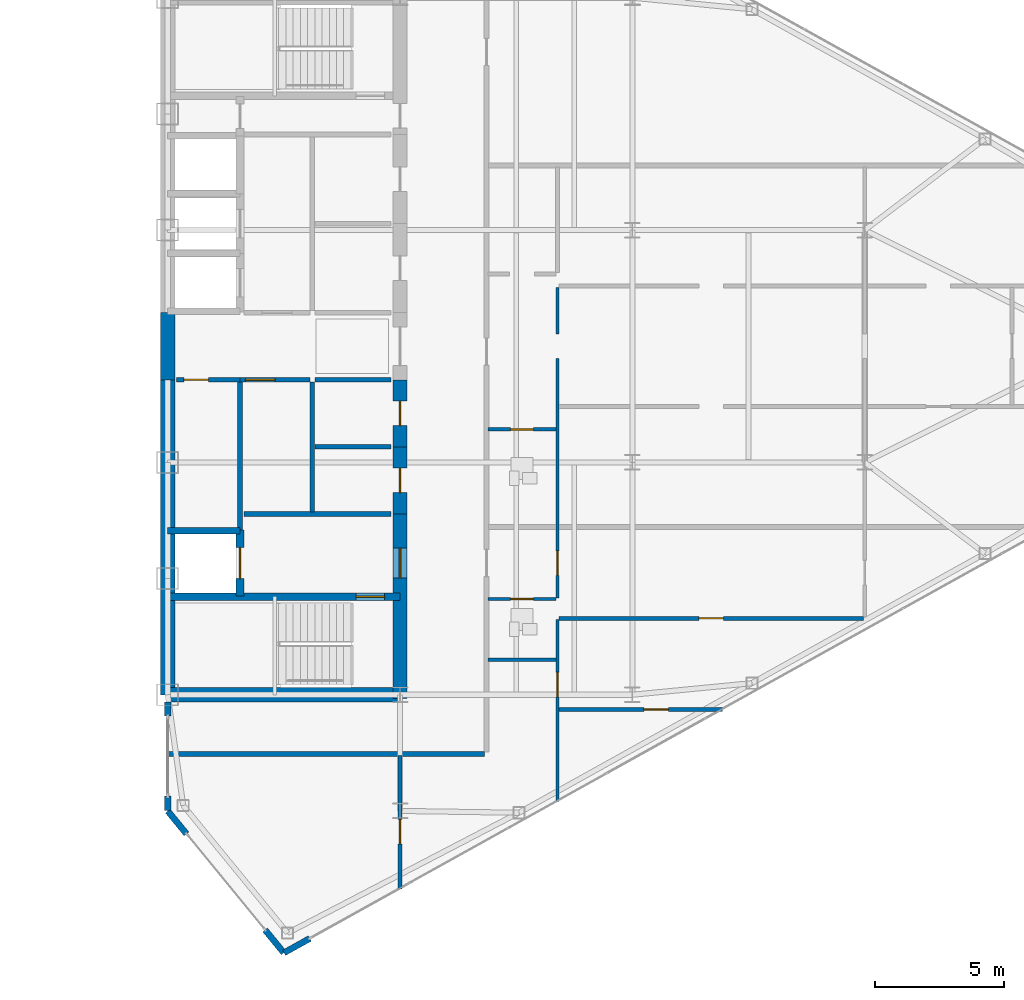
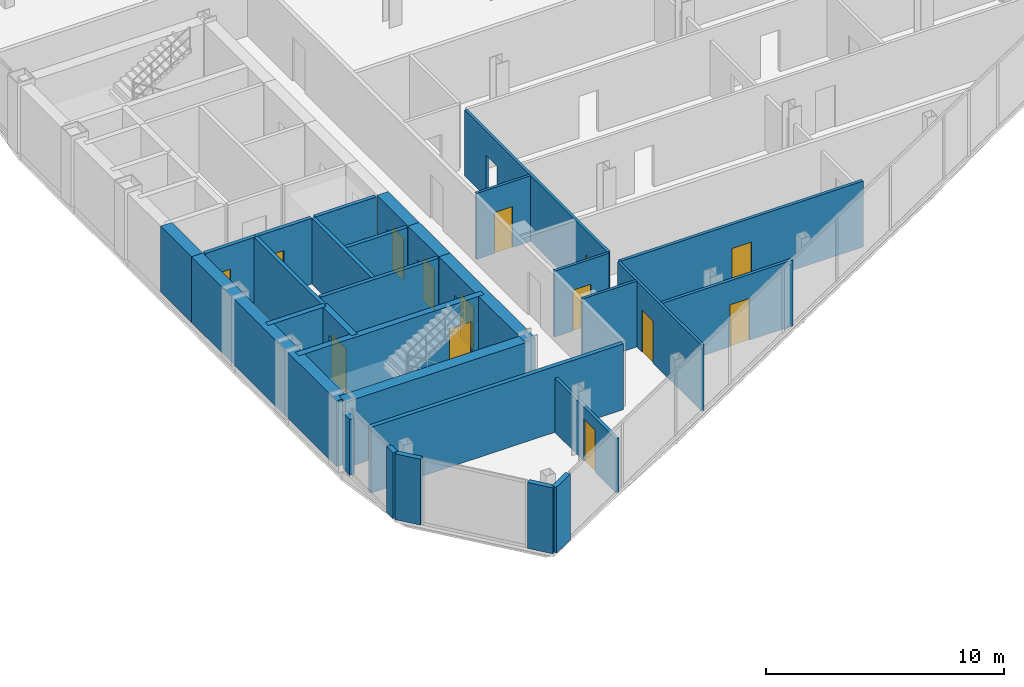
# One storey, part 21 of 26: 30 walls, 14 doors, 15 openings.
"""IFC4 building model written with IfcOpenShell, lengths in metres."""

from ifc_helpers import new_model, si_unit, direction, frame, frame_2d, origin, place, context, subcontext, project, spatial, rectangle, extrude, source, transform, mapped, material, layer, layer_set, type_object, type_shapes, element, fill, save


model = new_model("IFC4")

# Units and contexts
model_context = context("Model", 3, precision=1e-05, world=origin(), true_north=direction((0.0, 1.0)))
body_context = subcontext(model_context, "Body", "Model", "MODEL_VIEW")
ifc_project = project(units=[si_unit("LENGTHUNIT", "METRE"), si_unit("AREAUNIT", "SQUARE_METRE"), si_unit("VOLUMEUNIT", "CUBIC_METRE"), si_unit("PLANEANGLEUNIT", "RADIAN"), si_unit("MASSUNIT", "GRAM", prefix="KILO")], contexts=[model_context])

# Site, building, storey
site_placement = place(None, origin())
site = spatial("IfcSite", under=ifc_project, at=site_placement, CompositionType="ELEMENT")
building_placement = place(site_placement, origin())
building = spatial("IfcBuilding", under=site, at=building_placement, Name="Seokmaru Belvedere", CompositionType="ELEMENT")
storey_placement = place(building_placement, frame((0.0, 0.0, 167.10009765625)))
storey = spatial("IfcBuildingStorey", under=building, at=storey_placement, Name="L44", CompositionType="ELEMENT", Elevation=167.10009765625)

# Wall, opening, door
ifc_material_1 = material(Name="Fire-Rated Gypsum Shaftwall")
ifc_layer_1 = layer(ifc_material_1, 0.14990234375)
ifc_layer_set_1 = layer_set([ifc_layer_1], Name="Fire-Rated Gypsum Shaftwall")
wall_type_1 = type_object("IfcWallType", Name="Apartment Fire-Acoustic Room Partition 150", PredefinedType="PARTITIONING", material=ifc_layer_set_1)
wall_1_placement = place(storey_placement, frame((42.64990234375, -14.070068359375, 0.0), z_axis=(0.0, 0.0, 1.0), x_axis=(1.0, 0.0, 0.0)))
wall_1 = element("IfcWall", 1, at=wall_1_placement, inside=storey, type_object=wall_type_1, Name="L44 Interior Partition 003", PredefinedType="PARTITIONING", context=body_context, shape_type="SweptSolid", body=[
    extrude(rectangle(XDim=6.341064453125, YDim=0.14990234375, at=frame_2d((3.17041015625, 0.0))), origin(), (0.0, 0.0, 1.0), 3.3798828125),
])
opening_1_placement = place(wall_1_placement, frame((3.2919921875, 0.0, 0.0)))
opening_1 = element("IfcOpeningElement", 2, at=opening_1_placement, cuts=wall_1, Name="Opening D05", PredefinedType="OPENING", context=body_context, shape_type="SweptSolid", body=[
    extrude(rectangle(XDim=0.949951171875, YDim=2.14990234375, at=frame_2d((0.47509765625, 1.074951171875))), frame((0.0, 0.0849609375, 0.0), z_axis=(0.0, -1.0, 0.0), x_axis=(1.0, 0.0, 0.0)), (0.0, 0.0, 1.0), 0.169921875),
])
ifc_material_2 = material(Name="Engineered White Oak Timber", Category="wood")
door_type_1 = type_object("IfcDoorType", Name="Apartment Interior Fire-Rated Oak Door 950x2150", OperationType="NOTDEFINED", PredefinedType="DOOR", material=ifc_material_2)
shared_shape_1 = source(origin(), body_context, "Body", "SweptSolid", [
    extrude(rectangle(XDim=0.949951171875, YDim=2.14990234375, at=frame_2d((0.47509765625, 1.074951171875))), frame((0.0, 0.02490234375, 0.0), z_axis=(0.0, -1.0, 0.0), x_axis=(1.0, 0.0, 0.0)), (0.0, 0.0, 1.0), 0.050048828125),
])
type_shapes(door_type_1, [shared_shape_1])
door_1_placement = place(opening_1_placement, origin())
door_1 = element("IfcDoor", 3, at=door_1_placement, inside=storey, type_object=door_type_1, Name="L44 Interior Door 020", OperationType="SINGLE_SWING_LEFT", OverallHeight=2.14990234375, OverallWidth=0.949951171875, PredefinedType="DOOR", context=body_context, shape_type="MappedRepresentation", body=[
    mapped(shared_shape_1, transform((0.0, 0.0, 0.0), scale=1.0)),
])
fill(opening_1, door_1)

wall_2_placement = place(storey_placement, frame((42.64990234375, -10.5400390625, 0.0), z_axis=(0.0, 0.0, 1.0), x_axis=(1.0, 0.0, 0.0)))
wall_2 = element("IfcWall", 4, at=wall_2_placement, inside=storey, type_object=wall_type_1, Name="L44 Interior Partition 005", PredefinedType="PARTITIONING", context=body_context, shape_type="SweptSolid", body=[
    extrude(rectangle(XDim=11.800048828125, YDim=0.14990234375, at=frame_2d((5.89990234375, 0.0))), origin(), (0.0, 0.0, 1.0), 3.3798828125),
])
opening_2_placement = place(wall_2_placement, frame((5.425048828125, 0.0, 0.0)))
opening_2 = element("IfcOpeningElement", 5, at=opening_2_placement, cuts=wall_2, Name="Opening D05", PredefinedType="OPENING", context=body_context, shape_type="SweptSolid", body=[
    extrude(rectangle(XDim=0.949951171875, YDim=2.14990234375, at=frame_2d((0.47509765625, 1.074951171875))), frame((0.0, 0.0849609375, 0.0), z_axis=(0.0, -1.0, 0.0), x_axis=(1.0, 0.0, 0.0)), (0.0, 0.0, 1.0), 0.169921875),
])
door_2_placement = place(opening_2_placement, origin())
door_2 = element("IfcDoor", 6, at=door_2_placement, inside=storey, type_object=door_type_1, Name="L44 Interior Door 018", OperationType="SINGLE_SWING_LEFT", OverallHeight=2.14990234375, OverallWidth=0.949951171875, PredefinedType="DOOR", context=body_context, shape_type="MappedRepresentation", body=[
    mapped(shared_shape_1, transform((0.0, 0.0, 0.0), scale=1.0)),
])
fill(opening_2, door_2)

wall_3_placement = place(storey_placement, frame((36.5, -21.031982421875, 0.0), z_axis=(0.0, 0.0, 1.0), x_axis=(0.0, 1.0, 0.0)))
wall_3 = element("IfcWall", 7, at=wall_3_placement, inside=storey, type_object=wall_type_1, Name="L44 Interior Partition 026", PredefinedType="PARTITIONING", context=body_context, shape_type="SweptSolid", body=[
    extrude(rectangle(XDim=5.181884765625, YDim=0.14990234375, at=frame_2d((2.5908203125, 0.0))), origin(), (0.0, 0.0, 1.0), 2.77978515625),
])
opening_3_placement = place(wall_3_placement, frame((1.75390625, 0.0, 0.0)))
opening_3 = element("IfcOpeningElement", 8, at=opening_3_placement, cuts=wall_3, Name="Opening D05", PredefinedType="OPENING", context=body_context, shape_type="SweptSolid", body=[
    extrude(rectangle(XDim=0.949951171875, YDim=2.14990234375, at=frame_2d((0.47509765625, 1.074951171875))), frame((0.0, 0.0849609375, 0.0), z_axis=(0.0, -1.0, 0.0), x_axis=(1.0, 0.0, 0.0)), (0.0, 0.0, 1.0), 0.169921875),
])
door_3_placement = place(opening_3_placement, origin())
door_3 = element("IfcDoor", 9, at=door_3_placement, inside=storey, type_object=door_type_1, Name="L44 Interior Door 021", OperationType="SINGLE_SWING_LEFT", OverallHeight=2.14990234375, OverallWidth=0.949951171875, PredefinedType="DOOR", context=body_context, shape_type="MappedRepresentation", body=[
    mapped(shared_shape_1, transform((0.0, 0.0, 0.0), scale=1.0)),
])
fill(opening_3, door_3)

# Walls
ifc_layer_2 = layer(ifc_material_1, 0.179931640625)
ifc_layer_set_2 = layer_set([ifc_layer_2], Name="Fire-Rated Gypsum Shaftwall")
wall_type_2 = type_object("IfcWallType", Name="Core Service Fire Partition 180", PredefinedType="PARTITIONING", material=ifc_layer_set_2)
wall_4_placement = place(storey_placement, frame((30.449951171875, -6.5, 0.0), z_axis=(0.0, 0.0, 1.0), x_axis=(1.0, 0.0, 0.0)))
element("IfcWall", 10, at=wall_4_placement, inside=storey, type_object=wall_type_2, Name="L44 East Firefighting Lobby Partition", PredefinedType="PARTITIONING", context=body_context, shape_type="SweptSolid", body=[
    extrude(rectangle(XDim=5.699951171875, YDim=0.179931640625, at=frame_2d((2.85009765625, 0.0))), origin(), (0.0, 0.0, 1.0), 3.3798828125),
])
wall_5_placement = place(storey_placement, frame((33.10009765625, -6.419921875, 0.0), z_axis=(0.0, 0.0, 1.0), x_axis=(0.0, 1.0, 0.0)))
element("IfcWall", 11, at=wall_5_placement, inside=storey, type_object=wall_type_2, Name="L44 East South Core Service Back Wall", PredefinedType="PARTITIONING", context=body_context, shape_type="SweptSolid", body=[
    extrude(rectangle(XDim=5.0400390625, YDim=0.179931640625, at=frame_2d((2.52001953125, 0.0))), origin(), (0.0, 0.0, 1.0), 3.3798828125),
])

# Wall, opening, door
wall_6_placement = place(storey_placement, frame((27.85009765625, -1.300048828125, 0.0), z_axis=(0.0, 0.0, 1.0), x_axis=(1.0, 0.0, 0.0)))
wall_6 = element("IfcWall", 12, at=wall_6_placement, inside=storey, type_object=wall_type_2, Name="L44 East South Parcel Vault Foyer Wall", PredefinedType="PARTITIONING", context=body_context, shape_type="SweptSolid", body=[
    extrude(rectangle(XDim=2.449951171875, YDim=0.179931640625, at=frame_2d((1.22509765625, 0.0))), origin(), (0.0, 0.0, 1.0), 3.3798828125),
])
opening_4_placement = place(wall_6_placement, frame((0.27490234375, 0.0, 0.0)))
opening_4 = element("IfcOpeningElement", 13, at=opening_4_placement, cuts=wall_6, Name="Opening D04", PredefinedType="OPENING", context=body_context, shape_type="SweptSolid", body=[
    extrude(rectangle(XDim=0.949951171875, YDim=2.14990234375, at=frame_2d((0.47509765625, 1.074951171875))), frame((0.0, 0.10009765625, 0.0), z_axis=(0.0, -1.0, 0.0), x_axis=(1.0, 0.0, 0.0)), (0.0, 0.0, 1.0), 0.199951171875),
])
ifc_material_3 = material(Name="Fire-Rated Steel Leaf", Category="steel")
door_type_2 = type_object("IfcDoorType", Name="Core Service Room Fire Door 950x2150", OperationType="NOTDEFINED", PredefinedType="DOOR", material=ifc_material_3)
shared_shape_2 = source(origin(), body_context, "Body", "SweptSolid", [
    extrude(rectangle(XDim=0.949951171875, YDim=2.14990234375, at=frame_2d((0.47509765625, 1.074951171875))), frame((0.0, 0.02490234375, 0.0), z_axis=(0.0, -1.0, 0.0), x_axis=(1.0, 0.0, 0.0)), (0.0, 0.0, 1.0), 0.050048828125),
])
type_shapes(door_type_2, [shared_shape_2])
door_4_placement = place(opening_4_placement, origin())
door_4 = element("IfcDoor", 14, at=door_4_placement, inside=storey, type_object=door_type_2, Name="L44 East South Parcel Vault Door", OperationType="SINGLE_SWING_RIGHT", OverallHeight=2.14990234375, OverallWidth=0.949951171875, PredefinedType="DOOR", context=body_context, shape_type="MappedRepresentation", body=[
    mapped(shared_shape_2, transform((0.0, 0.0, 0.0), scale=1.0)),
])
fill(opening_4, door_4)

wall_7_placement = place(storey_placement, frame((30.300048828125, -1.300048828125, 0.0), z_axis=(0.0, 0.0, 1.0), x_axis=(1.0, 0.0, 0.0)))
wall_7 = element("IfcWall", 15, at=wall_7_placement, inside=storey, type_object=wall_type_2, Name="L44 East South Wine Cellar Foyer Wall", PredefinedType="PARTITIONING", context=body_context, shape_type="SweptSolid", body=[
    extrude(rectangle(XDim=2.719970703125, YDim=0.179931640625, at=frame_2d((1.35986328125, 0.0))), origin(), (0.0, 0.0, 1.0), 3.3798828125),
])
opening_5_placement = place(wall_7_placement, frame((0.2099609375, 0.0, 0.0)))
opening_5 = element("IfcOpeningElement", 16, at=opening_5_placement, cuts=wall_7, Name="Opening D02", PredefinedType="OPENING", context=body_context, shape_type="SweptSolid", body=[
    extrude(rectangle(XDim=1.14990234375, YDim=2.199951171875, at=frame_2d((0.574951171875, 1.10009765625))), frame((0.0, 0.10009765625, 0.0), z_axis=(0.0, -1.0, 0.0), x_axis=(1.0, 0.0, 0.0)), (0.0, 0.0, 1.0), 0.199951171875),
])
door_type_3 = type_object("IfcDoorType", Name="Lobby and Vestibule Fire Door 1150x2200", OperationType="NOTDEFINED", PredefinedType="DOOR", material=ifc_material_3)
shared_shape_3 = source(origin(), body_context, "Body", "SweptSolid", [
    extrude(rectangle(XDim=1.14990234375, YDim=2.199951171875, at=frame_2d((0.574951171875, 1.10009765625))), frame((0.0, 0.02490234375, 0.0), z_axis=(0.0, -1.0, 0.0), x_axis=(1.0, 0.0, 0.0)), (0.0, 0.0, 1.0), 0.050048828125),
])
type_shapes(door_type_3, [shared_shape_3])
door_5_placement = place(opening_5_placement, origin())
door_5 = element("IfcDoor", 17, at=door_5_placement, inside=storey, type_object=door_type_3, Name="L44 East South Core Foyer Door", OperationType="SINGLE_SWING_RIGHT", OverallHeight=2.199951171875, OverallWidth=1.14990234375, PredefinedType="DOOR", context=body_context, shape_type="MappedRepresentation", body=[
    mapped(shared_shape_3, transform((0.0, 0.0, 0.0), scale=1.0)),
])
fill(opening_5, door_5)

# Walls
wall_8_placement = place(storey_placement, frame((30.300048828125, -7.1201171875, 0.0), z_axis=(0.0, 0.0, 1.0), x_axis=(0.0, 1.0, 0.0)))
element("IfcWall", 18, at=wall_8_placement, inside=storey, type_object=wall_type_2, Name="L44 East Freed Shaft Vault Partition", PredefinedType="PARTITIONING", context=body_context, shape_type="SweptSolid", body=[
    extrude(rectangle(XDim=5.740234375, YDim=0.179931640625, at=frame_2d((2.8701171875, 0.0))), origin(), (0.0, 0.0, 1.0), 3.3798828125),
])
for number, where, z_axis, x_axis, name in (
    (19, (33.199951171875, -1.300048828125, 0.0), (0.0, 0.0, 1.0), (1.0, 0.0, 0.0), "L44 East Foyer Side Wall S"),
    (20, (33.199951171875, -3.89990234375, 0.0), (0.0, 0.0, 1.0), (1.0, 0.0, 0.0), "L44 East Core Service Partition 1"),
):
    element("IfcWall", number, at=place(storey_placement, frame(where, z_axis=z_axis, x_axis=x_axis)), inside=storey, type_object=wall_type_2, Name=name, PredefinedType="PARTITIONING", context=body_context, shape_type="SweptSolid", body=[
        extrude(rectangle(XDim=2.949951171875, YDim=0.179931640625, at=frame_2d((1.47509765625, 0.0))), origin(), (0.0, 0.0, 1.0), 3.3798828125),
    ])
ifc_material_4 = material(Name="Concrete C50 (50 MPa)", Category="concrete")
ifc_layer_3 = layer(ifc_material_4, 0.25)
ifc_layer_set_3 = layer_set([ifc_layer_3], Name="Concrete C50 (50 MPa)")
wall_type_3 = type_object("IfcWallType", Name="Hoistway Transverse Concrete Divider Wall 250", PredefinedType="SHEAR", material=ifc_layer_set_3)
wall_9_placement = place(storey_placement, frame((27.5, -7.14990234375, 0.0), z_axis=(0.0, 0.0, 1.0), x_axis=(1.0, 0.0, 0.0)))
element("IfcWall", 21, at=wall_9_placement, inside=storey, type_object=wall_type_3, Name="L44 East Hoistway Divider Core Wall 1", PredefinedType="SHEAR", context=body_context, shape_type="SweptSolid", body=[
    extrude(rectangle(XDim=2.800048828125, YDim=0.25, at=frame_2d((1.39990234375, 0.0))), origin(), (0.0, 0.0, 1.0), 3.3798828125),
])
ifc_layer_4 = layer(ifc_material_1, 0.199951171875)
ifc_layer_set_4 = layer_set([ifc_layer_4], Name="Fire-Rated Gypsum Shaftwall")
wall_type_4 = type_object("IfcWallType", Name="Inter-Tenancy Fire Compartment Partition 200", PredefinedType="PARTITIONING", material=ifc_layer_set_4)
wall_10_placement = place(storey_placement, frame((27.5, -15.800048828125, 0.0), z_axis=(0.0, 0.0, 1.0), x_axis=(1.0, 0.0, 0.0)))
element("IfcWall", 22, at=wall_10_placement, inside=storey, type_object=wall_type_4, Name="L44 Interior Partition 002", PredefinedType="PARTITIONING", context=body_context, shape_type="SweptSolid", body=[
    extrude(rectangle(XDim=12.264892578125, YDim=0.199951171875, at=frame_2d((6.13232421875, 0.0))), origin(), (0.0, 0.0, 1.0), 3.3798828125),
])

# Wall, opening, door
ifc_layer_5 = layer(ifc_material_4, 0.300048828125)
ifc_layer_set_5 = layer_set([ifc_layer_5], Name="Concrete C50 (50 MPa)")
wall_type_5 = type_object("IfcWallType", Name="Internal Core Stair and Hoistway Wall 300", PredefinedType="SHEAR", material=ifc_layer_set_5)
wall_11_placement = place(storey_placement, frame((27.5, -9.699951171875, 0.0), z_axis=(0.0, 0.0, 1.0), x_axis=(1.0, 0.0, 0.0)))
wall_11 = element("IfcWall", 23, at=wall_11_placement, inside=storey, type_object=wall_type_5, Name="L44 East Stair ST-1 Enclosure Wall", PredefinedType="SHEAR", context=body_context, shape_type="SweptSolid", body=[
    extrude(rectangle(XDim=9.0, YDim=0.300048828125, at=frame_2d((4.5, 0.0))), origin(), (0.0, 0.0, 1.0), 3.3798828125),
])
opening_6_placement = place(wall_11_placement, frame((7.300048828125, 0.0, 0.0)))
opening_6 = element("IfcOpeningElement", 24, at=opening_6_placement, cuts=wall_11, Name="Opening D01", PredefinedType="OPENING", context=body_context, shape_type="SweptSolid", body=[
    extrude(rectangle(XDim=1.10009765625, YDim=2.199951171875, at=frame_2d((0.550048828125, 1.10009765625))), frame((0.0, 0.16015625, 0.0), z_axis=(0.0, -1.0, 0.0), x_axis=(1.0, 0.0, 0.0)), (0.0, 0.0, 1.0), 0.320068359375),
])
door_type_4 = type_object("IfcDoorType", Name="Special Escape Stair Smokeproof Fire Door 1100x2200", OperationType="NOTDEFINED", PredefinedType="DOOR", material=ifc_material_3)
shared_shape_4 = source(origin(), body_context, "Body", "SweptSolid", [
    extrude(rectangle(XDim=1.10009765625, YDim=2.199951171875, at=frame_2d((0.550048828125, 1.10009765625))), frame((0.0, 0.02490234375, 0.0), z_axis=(0.0, -1.0, 0.0), x_axis=(1.0, 0.0, 0.0)), (0.0, 0.0, 1.0), 0.050048828125),
])
type_shapes(door_type_4, [shared_shape_4])
door_6_placement = place(opening_6_placement, frame((1.10009765625, 0.0, 0.0), z_axis=(0.0, 0.0, 1.0), x_axis=(-1.0, 0.0, 0.0)))
door_6 = element("IfcDoor", 25, at=door_6_placement, inside=storey, type_object=door_type_4, Name="L44 East Special Escape Stair ST-1 Door", OperationType="SINGLE_SWING_RIGHT", OverallHeight=2.199951171875, OverallWidth=1.10009765625, PredefinedType="DOOR", context=body_context, shape_type="MappedRepresentation", body=[
    mapped(shared_shape_4, transform((0.0, 0.0, 0.0), scale=1.0)),
])
fill(opening_6, door_6)

wall_12_placement = place(storey_placement, frame((30.300048828125, -9.679931640625, 0.0), z_axis=(0.0, 0.0, 1.0), x_axis=(0.0, 1.0, 0.0)))
wall_12 = element("IfcWall", 26, at=wall_12_placement, inside=storey, type_object=wall_type_5, Name="L44 East Firefighting Lift Shaft Front Wall", PredefinedType="SHEAR", context=body_context, shape_type="SweptSolid", body=[
    extrude(rectangle(XDim=2.559814453125, YDim=0.300048828125, at=frame_2d((1.27978515625, 0.0))), origin(), (0.0, 0.0, 1.0), 3.3798828125),
])
opening_7_placement = place(wall_12_placement, frame((0.679931640625, 0.0, 0.0)))
opening_7 = element("IfcOpeningElement", 27, at=opening_7_placement, cuts=wall_12, Name="Opening LD2", PredefinedType="OPENING", context=body_context, shape_type="SweptSolid", body=[
    extrude(rectangle(XDim=1.199951171875, YDim=2.25, at=frame_2d((0.60009765625, 1.125))), frame((0.0, 0.16015625, 0.0), z_axis=(0.0, -1.0, 0.0), x_axis=(1.0, 0.0, 0.0)), (0.0, 0.0, 1.0), 0.320068359375),
])
ifc_material_5 = material(Name="Stainless Steel 316", Category="steel")
door_type_5 = type_object("IfcDoorType", Name="Firefighting Lift Sliding Landing Door 1200x2250", OperationType="DOUBLE_DOOR_SLIDING", PredefinedType="DOOR", material=ifc_material_5)
shared_shape_5 = source(origin(), body_context, "Body", "SweptSolid", [
    extrude(rectangle(XDim=1.199951171875, YDim=2.25, at=frame_2d((0.60009765625, 1.125))), frame((0.0, 0.02490234375, 0.0), z_axis=(0.0, -1.0, 0.0), x_axis=(1.0, 0.0, 0.0)), (0.0, 0.0, 1.0), 0.050048828125),
])
type_shapes(door_type_5, [shared_shape_5])
door_7_placement = place(opening_7_placement, origin())
door_7 = element("IfcDoor", 28, at=door_7_placement, inside=storey, type_object=door_type_5, Name="L44 East Firefighting Lift Landing Door", OperationType="DOUBLE_DOOR_SLIDING", OverallHeight=2.25, OverallWidth=1.199951171875, PredefinedType="DOOR", context=body_context, shape_type="MappedRepresentation", body=[
    mapped(shared_shape_5, transform((0.0, 0.0, 0.0), scale=1.0)),
])
fill(opening_7, door_7)

# Walls
ifc_layer_6 = layer(ifc_material_4, 0.550048828125)
ifc_layer_set_6 = layer_set([ifc_layer_6], Name="Concrete C50 (50 MPa)")
wall_type_6 = type_object("IfcWallType", Name="Mid-High Reinforced Concrete Core Wall 550", PredefinedType="SHEAR", material=ifc_layer_set_6)
wall_13_placement = place(storey_placement, frame((27.5, -13.5, 0.0), z_axis=(0.0, 0.0, 1.0), x_axis=(0.0, 1.0, 0.0)))
element("IfcWall", 29, at=wall_13_placement, inside=storey, type_object=wall_type_6, Name="L44 East Portal Spine Core Wall South", PredefinedType="SHEAR", context=body_context, shape_type="SweptSolid", body=[
    extrude(rectangle(XDim=12.199951171875, YDim=0.550048828125, at=frame_2d((6.10009765625, 0.0))), origin(), (0.0, 0.0, 1.0), 3.3798828125),
])
wall_14_placement = place(storey_placement, frame((27.5, -1.300048828125, 0.0), z_axis=(0.0, 0.0, 1.0), x_axis=(0.0, 1.0, 0.0)))
element("IfcWall", 30, at=wall_14_placement, inside=storey, type_object=wall_type_6, Name="L44 East Portal Spine Core Wall Center", PredefinedType="SHEAR", context=body_context, shape_type="SweptSolid", body=[
    extrude(rectangle(XDim=2.60009765625, YDim=0.550048828125, at=frame_2d((1.300048828125, 0.0))), origin(), (0.0, 0.0, 1.0), 3.3798828125),
])
wall_15_placement = place(storey_placement, frame((27.5, -13.5, 0.0), z_axis=(0.0, 0.0, 1.0), x_axis=(1.0, 0.0, 0.0)))
element("IfcWall", 31, at=wall_15_placement, inside=storey, type_object=wall_type_6, Name="L44 East South Core Wall", PredefinedType="SHEAR", context=body_context, shape_type="SweptSolid", body=[
    extrude(rectangle(XDim=9.0, YDim=0.550048828125, at=frame_2d((4.5, 0.0))), origin(), (0.0, 0.0, 1.0), 3.3798828125),
])

# Wall, opening, door
wall_16_placement = place(storey_placement, frame((36.5, -13.64990234375, 0.0), z_axis=(0.0, 0.0, 1.0), x_axis=(0.0, 1.0, 0.0)))
wall_16 = element("IfcWall", 32, at=wall_16_placement, inside=storey, type_object=wall_type_6, Name="L44 East West Core Wall FF", PredefinedType="SHEAR", context=body_context, shape_type="SweptSolid", body=[
    extrude(rectangle(XDim=7.14990234375, YDim=0.550048828125, at=frame_2d((3.574951171875, 0.0))), origin(), (0.0, 0.0, 1.0), 3.3798828125),
])
opening_8_placement = place(wall_16_placement, frame((4.675048828125, 0.0, 0.0)))
opening_8 = element("IfcOpeningElement", 33, at=opening_8_placement, cuts=wall_16, Name="Opening D02", PredefinedType="OPENING", context=body_context, shape_type="SweptSolid", body=[
    extrude(rectangle(XDim=1.14990234375, YDim=2.199951171875, at=frame_2d((0.574951171875, 1.10009765625))), frame((0.0, 0.28515625, 0.0), z_axis=(0.0, -1.0, 0.0), x_axis=(1.0, 0.0, 0.0)), (0.0, 0.0, 1.0), 0.570068359375),
])
door_8_placement = place(opening_8_placement, origin())
door_8 = element("IfcDoor", 34, at=door_8_placement, inside=storey, type_object=door_type_3, Name="L44 East Firefighting Lobby Door", OperationType="SINGLE_SWING_RIGHT", OverallHeight=2.199951171875, OverallWidth=1.14990234375, PredefinedType="DOOR", context=body_context, shape_type="MappedRepresentation", body=[
    mapped(shared_shape_3, transform((0.0, 0.0, 0.0), scale=1.0)),
])
fill(opening_8, door_8)

wall_17_placement = place(storey_placement, frame((36.5, -6.5, 0.0), z_axis=(0.0, 0.0, 1.0), x_axis=(0.0, 1.0, 0.0)))
wall_17 = element("IfcWall", 35, at=wall_17_placement, inside=storey, type_object=wall_type_6, Name="L44 East West Core Wall CS1", PredefinedType="SHEAR", context=body_context, shape_type="SweptSolid", body=[
    extrude(rectangle(XDim=2.60009765625, YDim=0.550048828125, at=frame_2d((1.300048828125, 0.0))), origin(), (0.0, 0.0, 1.0), 3.3798828125),
])
opening_9_placement = place(wall_17_placement, frame((0.824951171875, 0.0, 0.0)))
opening_9 = element("IfcOpeningElement", 36, at=opening_9_placement, cuts=wall_17, Name="Opening D04", PredefinedType="OPENING", context=body_context, shape_type="SweptSolid", body=[
    extrude(rectangle(XDim=0.949951171875, YDim=2.14990234375, at=frame_2d((0.47509765625, 1.074951171875))), frame((0.0, 0.28515625, 0.0), z_axis=(0.0, -1.0, 0.0), x_axis=(1.0, 0.0, 0.0)), (0.0, 0.0, 1.0), 0.570068359375),
])
door_9_placement = place(opening_9_placement, origin())
door_9 = element("IfcDoor", 37, at=door_9_placement, inside=storey, type_object=door_type_2, Name="L44 East Core Service Room Door 1", OperationType="SINGLE_SWING_RIGHT", OverallHeight=2.14990234375, OverallWidth=0.949951171875, PredefinedType="DOOR", context=body_context, shape_type="MappedRepresentation", body=[
    mapped(shared_shape_2, transform((0.0, 0.0, 0.0), scale=1.0)),
])
fill(opening_9, door_9)

wall_18_placement = place(storey_placement, frame((36.5, -3.89990234375, 0.0), z_axis=(0.0, 0.0, 1.0), x_axis=(0.0, 1.0, 0.0)))
wall_18 = element("IfcWall", 38, at=wall_18_placement, inside=storey, type_object=wall_type_6, Name="L44 East West Core Wall CS2", PredefinedType="SHEAR", context=body_context, shape_type="SweptSolid", body=[
    extrude(rectangle(XDim=2.599853515625, YDim=0.550048828125, at=frame_2d((1.2998046875, 0.0))), origin(), (0.0, 0.0, 1.0), 3.3798828125),
])
opening_10_placement = place(wall_18_placement, frame((0.824951171875, 0.0, 0.0)))
opening_10 = element("IfcOpeningElement", 39, at=opening_10_placement, cuts=wall_18, Name="Opening D04", PredefinedType="OPENING", context=body_context, shape_type="SweptSolid", body=[
    extrude(rectangle(XDim=0.949951171875, YDim=2.14990234375, at=frame_2d((0.47509765625, 1.074951171875))), frame((0.0, 0.28515625, 0.0), z_axis=(0.0, -1.0, 0.0), x_axis=(1.0, 0.0, 0.0)), (0.0, 0.0, 1.0), 0.570068359375),
])
door_10_placement = place(opening_10_placement, origin())
door_10 = element("IfcDoor", 40, at=door_10_placement, inside=storey, type_object=door_type_2, Name="L44 East Core Service Room Door 2", OperationType="SINGLE_SWING_LEFT", OverallHeight=2.14990234375, OverallWidth=0.949951171875, PredefinedType="DOOR", context=body_context, shape_type="MappedRepresentation", body=[
    mapped(shared_shape_2, transform((0.0, 0.0, 0.0), scale=1.0)),
])
fill(opening_10, door_10)

# Wall
ifc_layer_7 = layer(ifc_material_1, 0.1298828125)
ifc_layer_set_7 = layer_set([ifc_layer_7], Name="Fire-Rated Gypsum Shaftwall")
wall_type_7 = type_object("IfcWallType", Name="Moisture-Resistant Fire-Rated Bathroom Partition 130", PredefinedType="PARTITIONING", material=ifc_layer_set_7)
wall_19_placement = place(storey_placement, frame((39.89990234375, -12.139892578125, 0.0), z_axis=(0.0, 0.0, 1.0), x_axis=(1.0, 0.0, 0.0)))
element("IfcWall", 41, at=wall_19_placement, inside=storey, type_object=wall_type_7, Name="L44 Interior Partition 004", PredefinedType="PARTITIONING", context=body_context, shape_type="SweptSolid", body=[
    extrude(rectangle(XDim=2.650146484375, YDim=0.1298828125, at=frame_2d((1.3251953125, 0.0))), origin(), (0.0, 0.0, 1.0), 3.3798828125),
])

# Wall, opening, door
wall_20_placement = place(storey_placement, frame((39.89990234375, -9.7900390625, 0.0), z_axis=(0.0, 0.0, 1.0), x_axis=(1.0, 0.0, 0.0)))
wall_20 = element("IfcWall", 42, at=wall_20_placement, inside=storey, type_object=wall_type_7, Name="L44 Interior Partition 006", PredefinedType="PARTITIONING", context=body_context, shape_type="SweptSolid", body=[
    extrude(rectangle(XDim=2.650146484375, YDim=0.1298828125, at=frame_2d((1.3251953125, 0.0))), origin(), (0.0, 0.0, 1.0), 3.3798828125),
])
opening_11_placement = place(wall_20_placement, frame((0.885009765625, 0.0, 0.0)))
opening_11 = element("IfcOpeningElement", 43, at=opening_11_placement, cuts=wall_20, Name="Opening D06", PredefinedType="OPENING", context=body_context, shape_type="SweptSolid", body=[
    extrude(rectangle(XDim=0.8798828125, YDim=2.10009765625, at=frame_2d((0.43994140625, 1.050048828125))), frame((0.0, 0.074951171875, 0.0), z_axis=(0.0, -1.0, 0.0), x_axis=(1.0, 0.0, 0.0)), (0.0, 0.0, 1.0), 0.14990234375),
])
door_type_6 = type_object("IfcDoorType", Name="Bathroom and Restroom Fire-Rated Door 880x2100", OperationType="NOTDEFINED", PredefinedType="DOOR", material=ifc_material_2)
shared_shape_6 = source(origin(), body_context, "Body", "SweptSolid", [
    extrude(rectangle(XDim=0.8798828125, YDim=2.10009765625, at=frame_2d((0.43994140625, 1.050048828125))), frame((0.0, 0.02490234375, 0.0), z_axis=(0.0, -1.0, 0.0), x_axis=(1.0, 0.0, 0.0)), (0.0, 0.0, 1.0), 0.050048828125),
])
type_shapes(door_type_6, [shared_shape_6])
door_11_placement = place(opening_11_placement, origin())
door_11 = element("IfcDoor", 44, at=door_11_placement, inside=storey, type_object=door_type_6, Name="L44 Interior Door 015", OperationType="SINGLE_SWING_RIGHT", OverallHeight=2.10009765625, OverallWidth=0.8798828125, PredefinedType="DOOR", context=body_context, shape_type="MappedRepresentation", body=[
    mapped(shared_shape_6, transform((0.0, 0.0, 0.0), scale=1.0)),
])
fill(opening_11, door_11)

wall_21_placement = place(storey_placement, frame((39.89990234375, -3.219970703125, 0.0), z_axis=(0.0, 0.0, 1.0), x_axis=(1.0, 0.0, 0.0)))
wall_21 = element("IfcWall", 45, at=wall_21_placement, inside=storey, type_object=wall_type_7, Name="L44 Interior Partition 011", PredefinedType="PARTITIONING", context=body_context, shape_type="SweptSolid", body=[
    extrude(rectangle(XDim=2.650146484375, YDim=0.1298828125, at=frame_2d((1.3251953125, 0.0))), origin(), (0.0, 0.0, 1.0), 3.3798828125),
])
opening_12_placement = place(wall_21_placement, frame((0.885009765625, 0.0, 0.0)))
opening_12 = element("IfcOpeningElement", 46, at=opening_12_placement, cuts=wall_21, Name="Opening D06", PredefinedType="OPENING", context=body_context, shape_type="SweptSolid", body=[
    extrude(rectangle(XDim=0.8798828125, YDim=2.10009765625, at=frame_2d((0.43994140625, 1.050048828125))), frame((0.0, 0.074951171875, 0.0), z_axis=(0.0, -1.0, 0.0), x_axis=(1.0, 0.0, 0.0)), (0.0, 0.0, 1.0), 0.14990234375),
])
door_12_placement = place(opening_12_placement, origin())
door_12 = element("IfcDoor", 47, at=door_12_placement, inside=storey, type_object=door_type_6, Name="L44 Interior Door 023", OperationType="SINGLE_SWING_RIGHT", OverallHeight=2.10009765625, OverallWidth=0.8798828125, PredefinedType="DOOR", context=body_context, shape_type="MappedRepresentation", body=[
    mapped(shared_shape_6, transform((0.0, 0.0, 0.0), scale=1.0)),
])
fill(opening_12, door_12)

wall_22_placement = place(storey_placement, frame((42.60009765625, -17.639892578125, 0.0), z_axis=(0.0, 0.0, 1.0), x_axis=(0.0, 1.0, 0.0)))
wall_22 = element("IfcWall", 48, at=wall_22_placement, inside=storey, type_object=wall_type_7, Name="L44 Interior Partition 028", PredefinedType="PARTITIONING", context=body_context, shape_type="SweptSolid", body=[
    extrude(rectangle(XDim=7.054931640625, YDim=0.1298828125, at=frame_2d((3.52734375, 0.0))), origin(), (0.0, 0.0, 1.0), 3.3798828125),
])
opening_13_placement = place(wall_22_placement, frame((4.0576171875, 0.0, 0.0)))
opening_13 = element("IfcOpeningElement", 49, at=opening_13_placement, cuts=wall_22, Name="Opening D05", PredefinedType="OPENING", context=body_context, shape_type="SweptSolid", body=[
    extrude(rectangle(XDim=0.949951171875, YDim=2.14990234375, at=frame_2d((0.47509765625, 1.074951171875))), frame((0.0, 0.074951171875, 0.0), z_axis=(0.0, -1.0, 0.0), x_axis=(1.0, 0.0, 0.0)), (0.0, 0.0, 1.0), 0.14990234375),
])
door_13_placement = place(opening_13_placement, origin())
door_13 = element("IfcDoor", 50, at=door_13_placement, inside=storey, type_object=door_type_1, Name="L44 Interior Door 019", OperationType="SINGLE_SWING_RIGHT", OverallHeight=2.14990234375, OverallWidth=0.949951171875, PredefinedType="DOOR", context=body_context, shape_type="MappedRepresentation", body=[
    mapped(shared_shape_1, transform((0.0, 0.0, 0.0), scale=1.0)),
])
fill(opening_13, door_13)

# Wall, openings, door
wall_23_placement = place(storey_placement, frame((42.60009765625, -9.7451171875, 0.0), z_axis=(0.0, 0.0, 1.0), x_axis=(0.0, 1.0, 0.0)))
wall_23 = element("IfcWall", 51, at=wall_23_placement, inside=storey, type_object=wall_type_7, Name="L44 Interior Partition 029", PredefinedType="PARTITIONING", context=body_context, shape_type="SweptSolid", body=[
    extrude(rectangle(XDim=12.028076171875, YDim=0.1298828125, at=frame_2d((6.01416015625, 0.0))), origin(), (0.0, 0.0, 1.0), 3.3798828125),
])
opening_14_placement = place(wall_23_placement, frame((0.87255859375, 0.0, 0.0)))
opening_14 = element("IfcOpeningElement", 52, at=opening_14_placement, cuts=wall_23, Name="Opening D05", PredefinedType="OPENING", context=body_context, shape_type="SweptSolid", body=[
    extrude(rectangle(XDim=0.949951171875, YDim=2.14990234375, at=frame_2d((0.47509765625, 1.074951171875))), frame((0.0, 0.074951171875, 0.0), z_axis=(0.0, -1.0, 0.0), x_axis=(1.0, 0.0, 0.0)), (0.0, 0.0, 1.0), 0.14990234375),
])
opening_15_placement = place(wall_23_placement, frame((9.27001953125, 0.0, 0.0)))
element("IfcOpeningElement", 53, at=opening_15_placement, cuts=wall_23, Name="L44 Cased Opening 025", PredefinedType="OPENING", context=body_context, shape_type="SweptSolid", body=[
    extrude(rectangle(XDim=0.949951171875, YDim=2.14990234375, at=frame_2d((0.47509765625, 1.074951171875))), frame((0.0, 0.074951171875, 0.0), z_axis=(0.0, -1.0, 0.0), x_axis=(1.0, 0.0, 0.0)), (0.0, 0.0, 1.0), 0.14990234375),
])
door_14_placement = place(opening_14_placement, origin())
door_14 = element("IfcDoor", 54, at=door_14_placement, inside=storey, type_object=door_type_1, Name="L44 Interior Door 016", OperationType="SINGLE_SWING_LEFT", OverallHeight=2.14990234375, OverallWidth=0.949951171875, PredefinedType="DOOR", context=body_context, shape_type="MappedRepresentation", body=[
    mapped(shared_shape_1, transform((0.0, 0.0, 0.0), scale=1.0)),
])
fill(opening_14, door_14)

# Walls
ifc_material_6 = material(Name="Anodised Bronze Aluminium", Category="aluminium")
ifc_layer_8 = layer(ifc_material_6, 0.239990234375)
ifc_layer_set_8 = layer_set([ifc_layer_8], Name="Anodised Bronze Aluminium")
wall_type_8 = type_object("IfcWallType", Name="Tower Corner Spandrel Closure Wall 240", PredefinedType="SOLIDWALL", material=ifc_layer_set_8)
wall_24_placement = place(storey_placement, frame((32.0087890625, -23.4951171875, 0.0), z_axis=(0.0, 0.0, 1.0), x_axis=(0.87385402111, 0.486188389196, 0.0)))
element("IfcWall", 55, at=wall_24_placement, inside=storey, type_object=wall_type_8, Name="L44 E Corner Closure Pier 1A", PredefinedType="SOLIDWALL", context=body_context, shape_type="SweptSolid", body=[
    extrude(rectangle(XDim=1.139892578125, YDim=0.239990234375, at=frame_2d((0.56982421875, 0.0))), origin(), (0.0, 0.0, 1.0), 3.3798828125),
])
wall_25_placement = place(storey_placement, frame((27.5, -17.97998046875, 0.0), z_axis=(0.0, 0.0, 1.0), x_axis=(0.0, 1.0, 0.0)))
element("IfcWall", 56, at=wall_25_placement, inside=storey, type_object=wall_type_8, Name="L44 E Spine Closure Pier 1A", PredefinedType="SOLIDWALL", context=body_context, shape_type="SweptSolid", body=[
    extrude(rectangle(XDim=0.550048828125, YDim=0.239990234375, at=frame_2d((0.27490234375, 0.0))), origin(), (0.0, 0.0, 1.0), 3.3798828125),
])
wall_26_placement = place(storey_placement, frame((27.5, -14.330078125, 0.0), z_axis=(0.0, 0.0, 1.0), x_axis=(0.0, 1.0, 0.0)))
element("IfcWall", 57, at=wall_26_placement, inside=storey, type_object=wall_type_8, Name="L44 E Spine Closure Pier 1B", PredefinedType="SOLIDWALL", context=body_context, shape_type="SweptSolid", body=[
    extrude(rectangle(XDim=0.550048828125, YDim=0.239990234375, at=frame_2d((0.27490234375, 0.0))), origin(), (0.0, 0.0, 1.0), 2.8798828125),
])
for number, where, z_axis, x_axis, name in (
    (58, (27.50634765625, -18.0078125, 0.0), (0.0, 0.0, 1.0), (0.633249451965, -0.77394775766, 0.0), "L44 E Corner Closure Pier 6A"),
    (59, (31.271728515625, -22.60986328125, 0.0), (0.0, 0.0, 1.0), (0.633249451965, -0.77394775766, 0.0), "L44 E Corner Closure Pier 6B"),
):
    element("IfcWall", number, at=place(storey_placement, frame(where, z_axis=z_axis, x_axis=x_axis)), inside=storey, type_object=wall_type_8, Name=name, PredefinedType="SOLIDWALL", context=body_context, shape_type="SweptSolid", body=[
        extrude(rectangle(XDim=1.14013671875, YDim=0.239990234375, at=frame_2d((0.570068359375, 0.0))), origin(), (0.0, 0.0, 1.0), 3.3798828125),
    ])

save(model, "model.ifc")
